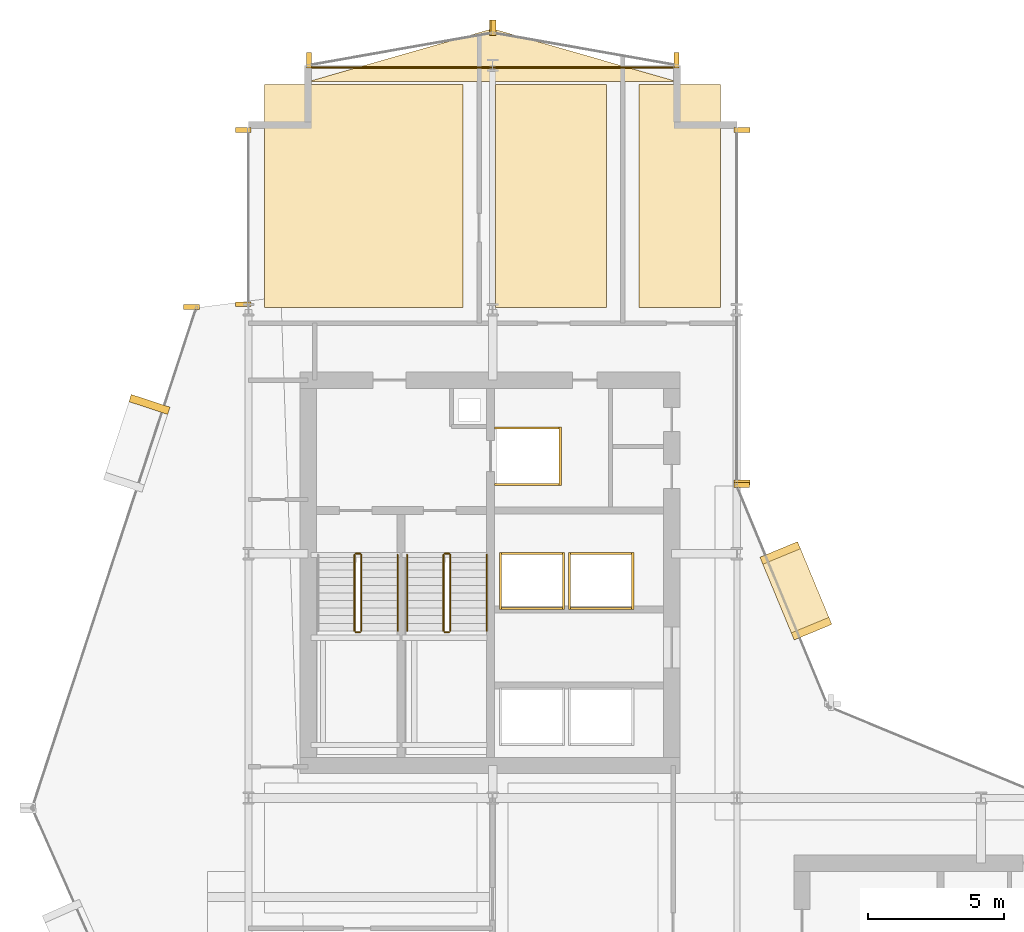
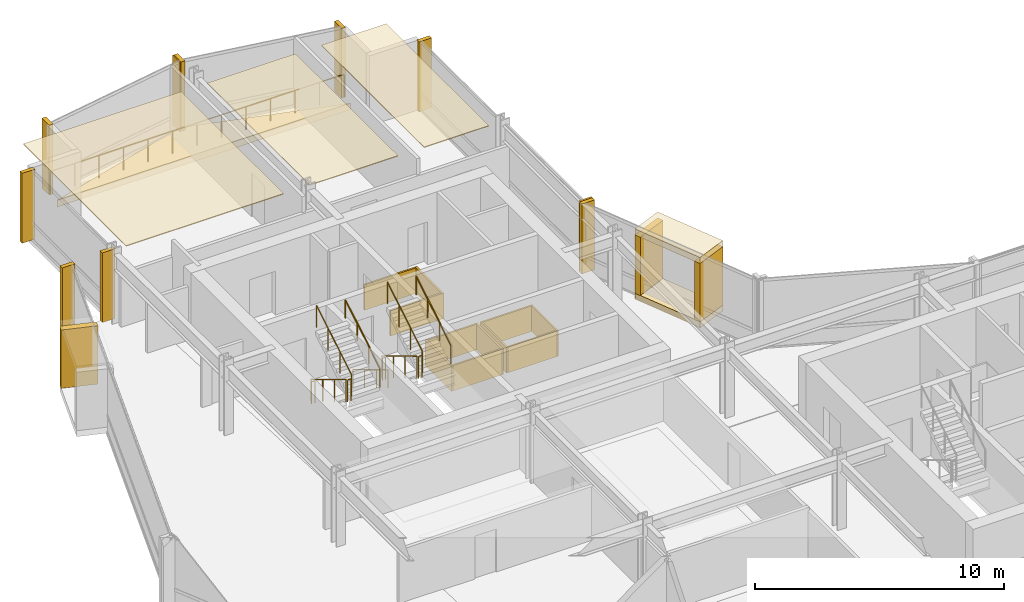
# One storey, part 28 of 28: 30 coverings, 12 railings.
"""IFC4 building model written with IfcOpenShell, lengths in metres."""

from ifc_helpers import new_model, si_unit, direction, frame, origin, origin_2d, place, context, subcontext, project, spatial, polyline, rectangle, circle, outline, extrude, material, layer, layer_set, type_object, element, save


model = new_model("IFC4")

# Units and contexts
model_context = context("Model", 3, precision=1e-05, world=origin(), true_north=direction((0.0, 1.0)))
body_context = subcontext(model_context, "Body", "Model", "MODEL_VIEW")
ifc_project = project(units=[si_unit("LENGTHUNIT", "METRE"), si_unit("AREAUNIT", "SQUARE_METRE"), si_unit("VOLUMEUNIT", "CUBIC_METRE"), si_unit("PLANEANGLEUNIT", "RADIAN"), si_unit("MASSUNIT", "GRAM", prefix="KILO")], contexts=[model_context])

# Site, building, storey
site_placement = place(None, origin())
site = spatial("IfcSite", under=ifc_project, at=site_placement, CompositionType="ELEMENT")
building_placement = place(site_placement, origin())
building = spatial("IfcBuilding", under=site, at=building_placement, Name="Solvaryn Broadcast Tower", CompositionType="ELEMENT")
storey_placement = place(building_placement, frame((0.0, 0.0, 110.0)))
storey = spatial("IfcBuildingStorey", under=building, at=storey_placement, Name="L26", CompositionType="ELEMENT", Elevation=110.0)

# Coverings
ifc_material_1 = material(Name="Micro-Perforated Acoustic Gypsum Ceiling", Category="concrete")
ifc_layer_1 = layer(ifc_material_1, 0.0400390625)
ifc_layer_set_1 = layer_set([ifc_layer_1], Name="CV-CEIL-ACOUSTIC")
covering_type_1 = type_object("IfcCoveringType", Name="CV-CEIL-ACOUSTIC", PredefinedType="CEILING", material=ifc_layer_set_1)
covering_1_placement = place(storey_placement, frame((0.0, 0.0, 3.3798828125)))
element("IfcCovering", 1, at=covering_1_placement, inside=storey, type_object=covering_type_1, Name="L26 Room Acoustic Ceiling 7", PredefinedType="CEILING", context=body_context, shape_type="SweptSolid", body=[
    extrude(outline(polyline([(9.60009765625, 45.070068359375), (16.89990234375, 45.070068359375), (16.89990234375, 53.300048828125), (9.60009765625, 53.300048828125), (9.60009765625, 45.070068359375)])), origin(), (0.0, 0.0, 1.0), 0.0400390625),
])
covering_2_placement = place(storey_placement, frame((0.0, 0.0, 3.3798828125)))
element("IfcCovering", 2, at=covering_2_placement, inside=storey, type_object=covering_type_1, Name="L26 Room Acoustic Ceiling 8", PredefinedType="CEILING", context=body_context, shape_type="SweptSolid", body=[
    extrude(outline(polyline([(18.10009765625, 45.070068359375), (22.199951171875, 45.070068359375), (22.199951171875, 53.300048828125), (18.10009765625, 53.300048828125), (18.10009765625, 45.070068359375)])), origin(), (0.0, 0.0, 1.0), 0.0400390625),
])
covering_3_placement = place(storey_placement, frame((0.0, 0.0, 3.3798828125)))
element("IfcCovering", 3, at=covering_3_placement, inside=storey, type_object=covering_type_1, Name="L26 Room Acoustic Ceiling 9", PredefinedType="CEILING", context=body_context, shape_type="SweptSolid", body=[
    extrude(outline(polyline([(23.39990234375, 45.070068359375), (26.39990234375, 45.070068359375), (26.39990234375, 53.300048828125), (23.39990234375, 53.300048828125), (23.39990234375, 45.070068359375)])), origin(), (0.0, 0.0, 1.0), 0.0400390625),
])
ifc_material_2 = material(Name="Fire-Rated Gypsum Shaftwall Liner", Category="concrete")
ifc_layer_2 = layer(ifc_material_2, 0.080078125)
ifc_layer_set_2 = layer_set([ifc_layer_2], Name="CV-SHAFT-LINER")
covering_type_2 = type_object("IfcCoveringType", Name="CV-SHAFT-LINER", PredefinedType="CLADDING", material=ifc_layer_set_2)
for number, where, z_axis, x_axis, name in (
    (4, (19.300048828125, 40.639892578125, 0.0), (0.0, 0.0, 1.0), (1.0, 0.0, 0.0), "L26 FL1 Hoistway Shaft Liner North"),
    (5, (19.300048828125, 38.56005859375, 0.0), (0.0, 0.0, 1.0), (1.0, 0.0, 0.0), "L26 FL1 Hoistway Shaft Liner South"),
):
    element("IfcCovering", number, at=place(storey_placement, frame(where, z_axis=z_axis, x_axis=x_axis)), inside=storey, type_object=covering_type_2, Name=name, PredefinedType="CLADDING", context=body_context, shape_type="SweptSolid", body=[
        extrude(rectangle(XDim=2.4599609375, YDim=0.080078125, at=origin_2d()), origin(), (0.0, 0.0, 1.0), 1.25),
    ])
covering_4_placement = place(storey_placement, frame((20.489990234375, 39.60009765625, 0.0), z_axis=(0.0, 0.0, 1.0), x_axis=(1.0, 0.0, 0.0)))
element("IfcCovering", 6, at=covering_4_placement, inside=storey, type_object=covering_type_2, Name="L26 FL1 Hoistway Shaft Liner East", PredefinedType="CLADDING", context=body_context, shape_type="SweptSolid", body=[
    extrude(rectangle(XDim=0.080078125, YDim=2.159912109375, at=origin_2d()), origin(), (0.0, 0.0, 1.0), 1.25),
])
for number, where, z_axis, x_axis, name in (
    (7, (19.449951171875, 36.014892578125, 0.0), (0.0, 0.0, 1.0), (1.0, 0.0, 0.0), "L26 PH3 Hoistway Shaft Liner North"),
    (8, (19.449951171875, 33.985107421875, 0.0), (0.0, 0.0, 1.0), (1.0, 0.0, 0.0), "L26 PH3 Hoistway Shaft Liner South"),
):
    element("IfcCovering", number, at=place(storey_placement, frame(where, z_axis=z_axis, x_axis=x_axis)), inside=storey, type_object=covering_type_2, Name=name, PredefinedType="CLADDING", context=body_context, shape_type="SweptSolid", body=[
        extrude(rectangle(XDim=2.409912109375, YDim=0.080078125, at=origin_2d()), origin(), (0.0, 0.0, 1.0), 1.25),
    ])
for number, where, z_axis, x_axis, name in (
    (9, (20.614990234375, 35.0, 0.0), (0.0, 0.0, 1.0), (1.0, 0.0, 0.0), "L26 PH3 Hoistway Shaft Liner East"),
    (10, (18.284912109375, 35.0, 0.0), (0.0, 0.0, 1.0), (1.0, 0.0, 0.0), "L26 PH3 Hoistway Shaft Liner West"),
):
    element("IfcCovering", number, at=place(storey_placement, frame(where, z_axis=z_axis, x_axis=x_axis)), inside=storey, type_object=covering_type_2, Name=name, PredefinedType="CLADDING", context=body_context, shape_type="SweptSolid", body=[
        extrude(rectangle(XDim=0.080078125, YDim=2.110107421875, at=origin_2d()), origin(), (0.0, 0.0, 1.0), 1.25),
    ])
for number, where, z_axis, x_axis, name in (
    (11, (22.0, 36.014892578125, 0.0), (0.0, 0.0, 1.0), (1.0, 0.0, 0.0), "L26 PH4 Hoistway Shaft Liner North"),
    (12, (22.0, 33.985107421875, 0.0), (0.0, 0.0, 1.0), (1.0, 0.0, 0.0), "L26 PH4 Hoistway Shaft Liner South"),
):
    element("IfcCovering", number, at=place(storey_placement, frame(where, z_axis=z_axis, x_axis=x_axis)), inside=storey, type_object=covering_type_2, Name=name, PredefinedType="CLADDING", context=body_context, shape_type="SweptSolid", body=[
        extrude(rectangle(XDim=2.409912109375, YDim=0.080078125, at=origin_2d()), origin(), (0.0, 0.0, 1.0), 1.25),
    ])
for number, where, z_axis, x_axis, name in (
    (13, (23.1650390625, 35.0, 0.0), (0.0, 0.0, 1.0), (1.0, 0.0, 0.0), "L26 PH4 Hoistway Shaft Liner East"),
    (14, (20.8349609375, 35.0, 0.0), (0.0, 0.0, 1.0), (1.0, 0.0, 0.0), "L26 PH4 Hoistway Shaft Liner West"),
):
    element("IfcCovering", number, at=place(storey_placement, frame(where, z_axis=z_axis, x_axis=x_axis)), inside=storey, type_object=covering_type_2, Name=name, PredefinedType="CLADDING", context=body_context, shape_type="SweptSolid", body=[
        extrude(rectangle(XDim=0.080078125, YDim=2.110107421875, at=origin_2d()), origin(), (0.0, 0.0, 1.0), 1.25),
    ])
ifc_material_3 = material(Name="Glazed Architectural Terracotta Rainscreen Cladding", Category="masonry")
ifc_layer_3 = layer(ifc_material_3, 0.280029296875)
ifc_layer_set_3 = layer_set([ifc_layer_3], Name="CV-TC-CLAD")
covering_type_3 = type_object("IfcCoveringType", Name="CV-TC-CLAD", PredefinedType="CLADDING", material=ifc_layer_set_3)
covering_5_placement = place(storey_placement, frame((5.353515625, 41.505859375, 0.27978515625), z_axis=(0.0, 0.0, 1.0), x_axis=(-0.311671636848, -0.950189870912, 0.0)))
element("IfcCovering", 15, at=covering_5_placement, inside=storey, type_object=covering_type_3, Name="L26 Projecting Stone Window Box Cheek 1-1", PredefinedType="CLADDING", context=body_context, shape_type="SweptSolid", body=[
    extrude(rectangle(XDim=0.280029296875, YDim=1.5, at=origin_2d()), origin(), (0.0, 0.0, 1.0), 2.860107421875),
])
for number, where, z_axis, x_axis, name in (
    (16, (29.174072265625, 34.636962890625, 3.1298828125), (0.0, 0.0, 1.0), (-0.382683432365, 0.923879532511, 0.0), "L26 Projecting Stone Window Box Hood 5"),
    (17, (29.174072265625, 34.636962890625, -0.01025390625), (0.0, 0.0, 1.0), (-0.382683432365, 0.923879532511, 0.0), "L26 Projecting Stone Window Box Sill 5"),
):
    element("IfcCovering", number, at=place(storey_placement, frame(where, z_axis=z_axis, x_axis=x_axis)), inside=storey, type_object=covering_type_3, Name=name, PredefinedType="CLADDING", context=body_context, shape_type="SweptSolid", body=[
        extrude(rectangle(XDim=3.300048828125, YDim=1.5, at=origin_2d()), origin(), (0.0, 0.0, 1.0), 0.300048828125),
    ])
for number, where, z_axis, x_axis, name in (
    (18, (29.751953125, 33.241943359375, 0.27978515625), (0.0, 0.0, 1.0), (-0.382683432365, 0.923879532511, 0.0), "L26 Projecting Stone Window Box Cheek 5-1"),
    (19, (28.59619140625, 36.031982421875, 0.27978515625), (0.0, 0.0, 1.0), (-0.382683432365, 0.923879532511, 0.0), "L26 Projecting Stone Window Box Cheek 5-2"),
):
    element("IfcCovering", number, at=place(storey_placement, frame(where, z_axis=z_axis, x_axis=x_axis)), inside=storey, type_object=covering_type_3, Name=name, PredefinedType="CLADDING", context=body_context, shape_type="SweptSolid", body=[
        extrude(rectangle(XDim=0.280029296875, YDim=1.5, at=origin_2d()), origin(), (0.0, 0.0, 1.0), 2.860107421875),
    ])
ifc_material_4 = material(Name="Extruded Architectural Terracotta Fin", Category="masonry")
ifc_layer_4 = layer(ifc_material_4, 0.179931640625)
ifc_layer_set_4 = layer_set([ifc_layer_4], Name="CV-TC-FIN")
covering_type_4 = type_object("IfcCoveringType", Name="CV-TC-FIN", PredefinedType="USERDEFINED", material=ifc_layer_set_4)
for number, where, z_axis, x_axis, name in (
    (20, (6.898681640625, 45.0947265625, 0.0), (0.0, 0.0, 1.0), (1.0, 0.0, 0.0), "L26 Terracotta Vertical Fin FIN-L26-DR1-M00"),
    (21, (8.8125, 45.197021484375, 0.0), (0.0, 0.0, 1.0), (1.0, 0.0, 0.0), "L26 Terracotta Vertical Fin FIN-L26-W2-M00"),
    (22, (8.8125, 51.6201171875, 0.0), (0.0, 0.0, 1.0), (1.0, 0.0, 0.0), "L26 Terracotta Vertical Fin FIN-L26-W2-M01"),
    (23, (27.1875, 51.6201171875, 0.0), (0.0, 0.0, 1.0), (1.0, 0.0, 0.0), "L26 Terracotta Vertical Fin FIN-L26-IV-M00"),
    (24, (27.1875, 38.6298828125, 0.0), (0.0, 0.0, 1.0), (1.0, 0.0, 0.0), "L26 Terracotta Vertical Fin FIN-L26-IV-M01"),
    (25, (27.177978515625, 38.541259765625, 0.0), (0.0, 0.0, 1.0), (1.0, 0.0, 0.0), "L26 Terracotta Vertical Fin FIN-L26-CN2-M01"),
):
    element("IfcCovering", number, at=place(storey_placement, frame(where, z_axis=z_axis, x_axis=x_axis)), inside=storey, type_object=covering_type_4, Name=name, ObjectType="FIN", PredefinedType="USERDEFINED", context=body_context, shape_type="SweptSolid", body=[
        extrude(rectangle(XDim=0.580078125, YDim=0.179931640625, at=origin_2d()), origin(), (0.0, 0.0, 1.0), 3.419921875),
    ])
for number, where, z_axis, x_axis, name in (
    (26, (24.7705078125, 54.192626953125, 0.0), (0.0, 0.0, 1.0), (1.0, 0.0, 0.0), "L26 Terracotta Vertical Fin FIN-L26-NT1-M00"),
    (27, (18.029541015625, 55.38232421875, 0.0), (0.0, 0.0, 1.0), (1.0, 0.0, 0.0), "L26 Terracotta Vertical Fin FIN-L26-NT1-M01"),
    (28, (17.970458984375, 55.38232421875, 0.0), (0.0, 0.0, 1.0), (1.0, 0.0, 0.0), "L26 Terracotta Vertical Fin FIN-L26-NT2-M00"),
    (29, (11.2294921875, 54.192626953125, 0.0), (0.0, 0.0, 1.0), (1.0, 0.0, 0.0), "L26 Terracotta Vertical Fin FIN-L26-NT2-M01"),
):
    element("IfcCovering", number, at=place(storey_placement, frame(where, z_axis=z_axis, x_axis=x_axis)), inside=storey, type_object=covering_type_4, Name=name, ObjectType="FIN", PredefinedType="USERDEFINED", context=body_context, shape_type="SweptSolid", body=[
        extrude(rectangle(XDim=0.179931640625, YDim=0.580078125, at=origin_2d()), origin(), (0.0, 0.0, 1.0), 3.419921875),
    ])
ifc_material_5 = material(Name="Sculpted Architectural Terracotta Wave Fascia", Category="masonry")
ifc_layer_5 = layer(ifc_material_5, 0.340087890625)
ifc_layer_set_5 = layer_set([ifc_layer_5], Name="CV-WAVE-TRAY")
covering_type_5 = type_object("IfcCoveringType", Name="CV-WAVE-TRAY", PredefinedType="CLADDING", material=ifc_layer_set_5)
covering_6_placement = place(storey_placement, frame((0.0, 0.0, -0.300048828125)))
element("IfcCovering", 30, at=covering_6_placement, inside=storey, type_object=covering_type_5, Name="L26 North Curved Wing Deck", PredefinedType="CLADDING", context=body_context, shape_type="SweptSolid", body=[
    extrude(outline(polyline([(11.199951171875, 53.39990234375), (24.800048828125, 53.39990234375), (18.0, 55.35009765625), (11.199951171875, 53.39990234375)])), origin(), (0.0, 0.0, 1.0), 0.330078125),
])

# Railings
ifc_material_6 = material(Name="Painted Steel Stair Well Guard", Category="steel")
railing_type_1 = type_object("IfcRailingType", Name="RL-STAIR-GUARD", PredefinedType="BALUSTRADE", material=ifc_material_6)
railing_1_placement = place(storey_placement, frame((12.909912109375, 35.9599609375, 0.168212890625)))
element("IfcRailing", 31, at=railing_1_placement, inside=storey, type_object=railing_type_1, Name="L26 ST1 stair guard 1", PredefinedType="BALUSTRADE", context=body_context, shape_type="SweptSolid", body=[
    extrude(circle(Radius=0.02392578125, at=origin_2d()), frame((0.0, 0.0, 1.076171875), z_axis=(0.0, -0.857242210791, 0.514913383045), x_axis=(1.0, 0.0, 0.0)), (0.0, 0.0, 1.0), 3.266357421875),
    extrude(circle(Radius=0.02099609375, at=origin_2d()), origin(), (0.0, 0.0, 1.0), 1.052001953125),
    extrude(circle(Radius=0.02099609375, at=origin_2d()), frame((0.0, -0.933349609375, 0.560546875)), (0.0, 0.0, 1.0), 1.052001953125),
    extrude(circle(Radius=0.02099609375, at=origin_2d()), frame((0.0, -1.86669921875, 1.121337890625)), (0.0, 0.0, 1.0), 1.052001953125),
    extrude(circle(Radius=0.02099609375, at=origin_2d()), frame((0.0, -2.800048828125, 1.681884765625)), (0.0, 0.0, 1.0), 1.052001953125),
])
railing_2_placement = place(storey_placement, frame((12.9599609375, 33.110107421875, 1.85009765625)))
element("IfcRailing", 32, at=railing_2_placement, inside=storey, type_object=railing_type_1, Name="L26 ST1 stair guard 2", PredefinedType="BALUSTRADE", context=body_context, shape_type="SweptSolid", body=[
    extrude(circle(Radius=0.02392578125, at=origin_2d()), frame((0.0, 0.0, 1.076171875), z_axis=(1.0, 0.0, 0.0), x_axis=(0.0, 1.0, 0.0)), (0.0, 0.0, 1.0), 0.150146484375),
    extrude(circle(Radius=0.02099609375, at=origin_2d()), origin(), (0.0, 0.0, 1.0), 1.052001953125),
    extrude(circle(Radius=0.02099609375, at=origin_2d()), frame((0.150146484375, 0.0, 0.0)), (0.0, 0.0, 1.0), 1.052001953125),
])
railing_3_placement = place(storey_placement, frame((13.159912109375, 33.159912109375, 2.01806640625)))
element("IfcRailing", 33, at=railing_3_placement, inside=storey, type_object=railing_type_1, Name="L26 ST1 stair guard 3", PredefinedType="BALUSTRADE", context=body_context, shape_type="SweptSolid", body=[
    extrude(circle(Radius=0.02392578125, at=origin_2d()), frame((0.0, 0.0, 1.076171875), z_axis=(0.0, 0.857242210791, 0.514913383045), x_axis=(-1.0, 0.0, 0.0)), (0.0, 0.0, 1.0), 3.266357421875),
    extrude(circle(Radius=0.02099609375, at=origin_2d()), origin(), (0.0, 0.0, 1.0), 1.052001953125),
    extrude(circle(Radius=0.02099609375, at=origin_2d()), frame((0.0, 0.933349609375, 0.560546875)), (0.0, 0.0, 1.0), 1.052001953125),
    extrude(circle(Radius=0.02099609375, at=origin_2d()), frame((0.0, 1.86669921875, 1.121337890625)), (0.0, 0.0, 1.0), 1.052001953125),
    extrude(circle(Radius=0.02099609375, at=origin_2d()), frame((0.0, 2.800048828125, 1.681884765625)), (0.0, 0.0, 1.0), 1.052001953125),
])
railing_4_placement = place(storey_placement, frame((12.9599609375, 36.010009765625, 0.0)))
element("IfcRailing", 34, at=railing_4_placement, inside=storey, type_object=railing_type_1, Name="L26 ST1 stair guard 4", PredefinedType="BALUSTRADE", context=body_context, shape_type="SweptSolid", body=[
    extrude(circle(Radius=0.02392578125, at=origin_2d()), frame((0.0, 0.0, 1.076171875), z_axis=(1.0, 0.0, 0.0), x_axis=(0.0, 1.0, 0.0)), (0.0, 0.0, 1.0), 0.150146484375),
    extrude(circle(Radius=0.02099609375, at=origin_2d()), origin(), (0.0, 0.0, 1.0), 1.052001953125),
    extrude(circle(Radius=0.02099609375, at=origin_2d()), frame((0.150146484375, 0.0, 0.0)), (0.0, 0.0, 1.0), 1.052001953125),
])
railing_5_placement = place(storey_placement, frame((16.18994140625, 35.9599609375, 0.168212890625)))
element("IfcRailing", 35, at=railing_5_placement, inside=storey, type_object=railing_type_1, Name="L26 ST2 stair guard 1", PredefinedType="BALUSTRADE", context=body_context, shape_type="SweptSolid", body=[
    extrude(circle(Radius=0.02392578125, at=origin_2d()), frame((0.0, 0.0, 1.076171875), z_axis=(0.0, -0.857242210791, 0.514913383045), x_axis=(1.0, 0.0, 0.0)), (0.0, 0.0, 1.0), 3.266357421875),
    extrude(circle(Radius=0.02099609375, at=origin_2d()), origin(), (0.0, 0.0, 1.0), 1.052001953125),
    extrude(circle(Radius=0.02099609375, at=origin_2d()), frame((0.0, -0.933349609375, 0.560546875)), (0.0, 0.0, 1.0), 1.052001953125),
    extrude(circle(Radius=0.02099609375, at=origin_2d()), frame((0.0, -1.86669921875, 1.121337890625)), (0.0, 0.0, 1.0), 1.052001953125),
    extrude(circle(Radius=0.02099609375, at=origin_2d()), frame((0.0, -2.800048828125, 1.681884765625)), (0.0, 0.0, 1.0), 1.052001953125),
])
railing_6_placement = place(storey_placement, frame((16.239990234375, 33.110107421875, 1.85009765625)))
element("IfcRailing", 36, at=railing_6_placement, inside=storey, type_object=railing_type_1, Name="L26 ST2 stair guard 2", PredefinedType="BALUSTRADE", context=body_context, shape_type="SweptSolid", body=[
    extrude(circle(Radius=0.02392578125, at=origin_2d()), frame((0.0, 0.0, 1.076171875), z_axis=(1.0, 0.0, 0.0), x_axis=(0.0, 1.0, 0.0)), (0.0, 0.0, 1.0), 0.14990234375),
    extrude(circle(Radius=0.02099609375, at=origin_2d()), origin(), (0.0, 0.0, 1.0), 1.052001953125),
    extrude(circle(Radius=0.02099609375, at=origin_2d()), frame((0.14990234375, 0.0, 0.0)), (0.0, 0.0, 1.0), 1.052001953125),
])
railing_7_placement = place(storey_placement, frame((16.43994140625, 33.159912109375, 2.01806640625)))
element("IfcRailing", 37, at=railing_7_placement, inside=storey, type_object=railing_type_1, Name="L26 ST2 stair guard 3", PredefinedType="BALUSTRADE", context=body_context, shape_type="SweptSolid", body=[
    extrude(circle(Radius=0.02392578125, at=origin_2d()), frame((0.0, 0.0, 1.076171875), z_axis=(0.0, 0.857242210791, 0.514913383045), x_axis=(-1.0, 0.0, 0.0)), (0.0, 0.0, 1.0), 3.266357421875),
    extrude(circle(Radius=0.02099609375, at=origin_2d()), origin(), (0.0, 0.0, 1.0), 1.052001953125),
    extrude(circle(Radius=0.02099609375, at=origin_2d()), frame((0.0, 0.933349609375, 0.560546875)), (0.0, 0.0, 1.0), 1.052001953125),
    extrude(circle(Radius=0.02099609375, at=origin_2d()), frame((0.0, 1.86669921875, 1.121337890625)), (0.0, 0.0, 1.0), 1.052001953125),
    extrude(circle(Radius=0.02099609375, at=origin_2d()), frame((0.0, 2.800048828125, 1.681884765625)), (0.0, 0.0, 1.0), 1.052001953125),
])
railing_8_placement = place(storey_placement, frame((16.239990234375, 36.010009765625, 0.0)))
element("IfcRailing", 38, at=railing_8_placement, inside=storey, type_object=railing_type_1, Name="L26 ST2 stair guard 4", PredefinedType="BALUSTRADE", context=body_context, shape_type="SweptSolid", body=[
    extrude(circle(Radius=0.02392578125, at=origin_2d()), frame((0.0, 0.0, 1.076171875), z_axis=(1.0, 0.0, 0.0), x_axis=(0.0, 1.0, 0.0)), (0.0, 0.0, 1.0), 0.14990234375),
    extrude(circle(Radius=0.02099609375, at=origin_2d()), origin(), (0.0, 0.0, 1.0), 1.052001953125),
    extrude(circle(Radius=0.02099609375, at=origin_2d()), frame((0.14990234375, 0.0, 0.0)), (0.0, 0.0, 1.0), 1.052001953125),
])
ifc_material_7 = material(Name="Brushed Stainless Steel Tubular Handrail", Category="steel")
railing_type_2 = type_object("IfcRailingType", Name="RL-STAIR-HANDRAIL", PredefinedType="HANDRAIL", material=ifc_material_7)
railing_9_placement = place(storey_placement, frame((14.5, 33.159912109375, 2.01806640625)))
element("IfcRailing", 39, at=railing_9_placement, inside=storey, type_object=railing_type_2, Name="L26 ST1 stair handrail 2", PredefinedType="HANDRAIL", context=body_context, shape_type="SweptSolid", body=[
    extrude(circle(Radius=0.02392578125, at=origin_2d()), frame((0.0, 0.0, 0.8759765625), z_axis=(0.0, 0.857242210791, 0.514913383045), x_axis=(-1.0, 0.0, 0.0)), (0.0, 0.0, 1.0), 3.266357421875),
    extrude(circle(Radius=0.02099609375, at=origin_2d()), origin(), (0.0, 0.0, 1.0), 0.851806640625),
    extrude(circle(Radius=0.02099609375, at=origin_2d()), frame((0.0, 0.933349609375, 0.560546875)), (0.0, 0.0, 1.0), 0.851806640625),
    extrude(circle(Radius=0.02099609375, at=origin_2d()), frame((0.0, 1.86669921875, 1.121337890625)), (0.0, 0.0, 1.0), 0.851806640625),
    extrude(circle(Radius=0.02099609375, at=origin_2d()), frame((0.0, 2.800048828125, 1.681884765625)), (0.0, 0.0, 1.0), 0.851806640625),
])
railing_10_placement = place(storey_placement, frame((14.85009765625, 35.9599609375, 0.168212890625)))
element("IfcRailing", 40, at=railing_10_placement, inside=storey, type_object=railing_type_2, Name="L26 ST2 stair handrail 1", PredefinedType="HANDRAIL", context=body_context, shape_type="SweptSolid", body=[
    extrude(circle(Radius=0.02392578125, at=origin_2d()), frame((0.0, 0.0, 0.8759765625), z_axis=(0.0, -0.857242210791, 0.514913383045), x_axis=(1.0, 0.0, 0.0)), (0.0, 0.0, 1.0), 3.266357421875),
    extrude(circle(Radius=0.02099609375, at=origin_2d()), origin(), (0.0, 0.0, 1.0), 0.851806640625),
    extrude(circle(Radius=0.02099609375, at=origin_2d()), frame((0.0, -0.933349609375, 0.560546875)), (0.0, 0.0, 1.0), 0.851806640625),
    extrude(circle(Radius=0.02099609375, at=origin_2d()), frame((0.0, -1.86669921875, 1.121337890625)), (0.0, 0.0, 1.0), 0.851806640625),
    extrude(circle(Radius=0.02099609375, at=origin_2d()), frame((0.0, -2.800048828125, 1.681884765625)), (0.0, 0.0, 1.0), 0.851806640625),
])
railing_11_placement = place(storey_placement, frame((17.780029296875, 33.159912109375, 2.01806640625)))
element("IfcRailing", 41, at=railing_11_placement, inside=storey, type_object=railing_type_2, Name="L26 ST2 stair handrail 2", PredefinedType="HANDRAIL", context=body_context, shape_type="SweptSolid", body=[
    extrude(circle(Radius=0.02392578125, at=origin_2d()), frame((0.0, 0.0, 0.8759765625), z_axis=(0.0, 0.857242210791, 0.514913383045), x_axis=(-1.0, 0.0, 0.0)), (0.0, 0.0, 1.0), 3.266357421875),
    extrude(circle(Radius=0.02099609375, at=origin_2d()), origin(), (0.0, 0.0, 1.0), 0.851806640625),
    extrude(circle(Radius=0.02099609375, at=origin_2d()), frame((0.0, 0.933349609375, 0.560546875)), (0.0, 0.0, 1.0), 0.851806640625),
    extrude(circle(Radius=0.02099609375, at=origin_2d()), frame((0.0, 1.86669921875, 1.121337890625)), (0.0, 0.0, 1.0), 0.851806640625),
    extrude(circle(Radius=0.02099609375, at=origin_2d()), frame((0.0, 2.800048828125, 1.681884765625)), (0.0, 0.0, 1.0), 0.851806640625),
])
ifc_material_8 = material(Name="Stainless Steel and Laminated Glass Guard", Category="steel")
railing_type_3 = type_object("IfcRailingType", Name="RL-TER-1150", PredefinedType="BALUSTRADE", material=ifc_material_8)
railing_12_placement = place(storey_placement, frame((11.199951171875, 53.919921875, 0.0)))
element("IfcRailing", 42, at=railing_12_placement, inside=storey, type_object=railing_type_3, Name="L26 North Wing Spandrel Edge Guard", PredefinedType="BALUSTRADE", context=body_context, shape_type="SweptSolid", body=[
    extrude(circle(Radius=0.02392578125, at=origin_2d()), frame((0.0, 0.0, 1.1259765625), z_axis=(1.0, 0.0, 0.0), x_axis=(0.0, 1.0, 0.0)), (0.0, 0.0, 1.0), 13.60009765625),
    extrude(circle(Radius=0.02099609375, at=origin_2d()), origin(), (0.0, 0.0, 1.0), 1.101806640625),
    extrude(circle(Radius=0.02099609375, at=origin_2d()), frame((1.13330078125, 0.0, 0.0)), (0.0, 0.0, 1.0), 1.101806640625),
    extrude(circle(Radius=0.02099609375, at=origin_2d()), frame((2.2666015625, 0.0, 0.0)), (0.0, 0.0, 1.0), 1.101806640625),
    extrude(circle(Radius=0.02099609375, at=origin_2d()), frame((3.39990234375, 0.0, 0.0)), (0.0, 0.0, 1.0), 1.101806640625),
    extrude(circle(Radius=0.02099609375, at=origin_2d()), frame((4.533447265625, 0.0, 0.0)), (0.0, 0.0, 1.0), 1.101806640625),
    extrude(circle(Radius=0.02099609375, at=origin_2d()), frame((5.666748046875, 0.0, 0.0)), (0.0, 0.0, 1.0), 1.101806640625),
    extrude(circle(Radius=0.02099609375, at=origin_2d()), frame((6.800048828125, 0.0, 0.0)), (0.0, 0.0, 1.0), 1.101806640625),
    extrude(circle(Radius=0.02099609375, at=origin_2d()), frame((7.933349609375, 0.0, 0.0)), (0.0, 0.0, 1.0), 1.101806640625),
    extrude(circle(Radius=0.02099609375, at=origin_2d()), frame((9.066650390625, 0.0, 0.0)), (0.0, 0.0, 1.0), 1.101806640625),
    extrude(circle(Radius=0.02099609375, at=origin_2d()), frame((10.2001953125, 0.0, 0.0)), (0.0, 0.0, 1.0), 1.101806640625),
    extrude(circle(Radius=0.02099609375, at=origin_2d()), frame((11.33349609375, 0.0, 0.0)), (0.0, 0.0, 1.0), 1.101806640625),
    extrude(circle(Radius=0.02099609375, at=origin_2d()), frame((12.466796875, 0.0, 0.0)), (0.0, 0.0, 1.0), 1.101806640625),
    extrude(circle(Radius=0.02099609375, at=origin_2d()), frame((13.60009765625, 0.0, 0.0)), (0.0, 0.0, 1.0), 1.101806640625),
])

save(model, "model.ifc")
